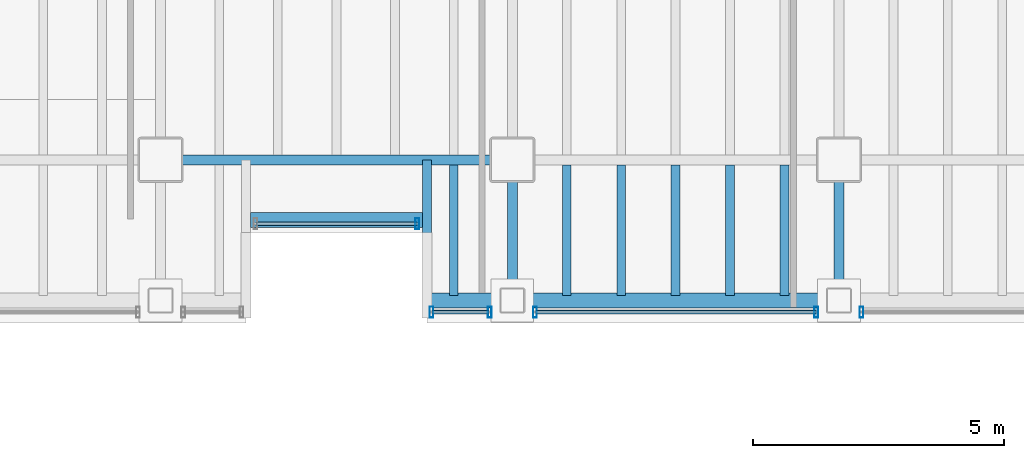
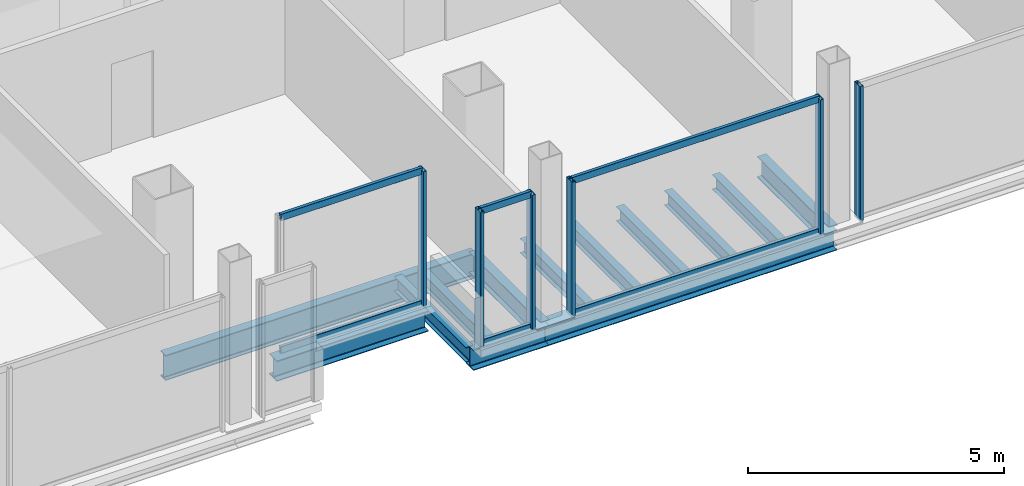
# One storey, part 4 of 16: 13 beams, 12 members, 4 elements without a shape of their own.
"""IFC4 building model written with IfcOpenShell, lengths in metres."""

from ifc_helpers import new_model, si_unit, direction, frame, origin, origin_2d, place, context, subcontext, project, spatial, hollow_rectangle, i_section, extrude, material, material_profile, profile_set, type_object, element, aggregate, save


model = new_model("IFC4")

# Units and contexts
model_context = context("Model", 3, precision=1e-05, world=origin(), true_north=direction((0.0, 1.0)))
body_context = subcontext(model_context, "Body", "Model", "MODEL_VIEW")
ifc_project = project(units=[si_unit("LENGTHUNIT", "METRE"), si_unit("AREAUNIT", "SQUARE_METRE"), si_unit("VOLUMEUNIT", "CUBIC_METRE"), si_unit("PLANEANGLEUNIT", "RADIAN"), si_unit("MASSUNIT", "GRAM", prefix="KILO")], contexts=[model_context])

# Site, building, storey
site_placement = place(None, origin())
site = spatial("IfcSite", under=ifc_project, at=site_placement, CompositionType="ELEMENT")
building_placement = place(site_placement, origin())
building = spatial("IfcBuilding", under=site, at=building_placement, Name="Noeulbin Bourse Tower", CompositionType="ELEMENT")
storey_placement = place(building_placement, frame((0.0, 0.0, 177.300048828125)))
storey = spatial("IfcBuildingStorey", under=building, at=storey_placement, Name="L44", CompositionType="ELEMENT", Elevation=177.300048828125)

# Beams
ifc_material_1 = material(Name="Steel S355", Category="steel")
ifc_material_profile_1 = material_profile(ifc_material_1, i_section(OverallWidth=0.199951171875, OverallDepth=0.5, WebThickness=0.010009765625, FlangeThickness=0.01611328125, FilletRadius=0.02001953125, at=origin_2d()), Name="H-500x200x10x16", Category="LoadBearing")
ifc_profile_set_1 = profile_set([ifc_material_profile_1], Name="Steel S355")
beam_type_1 = type_object("IfcBeamType", Name="BM-GRD-500", PredefinedType="USERDEFINED", material=ifc_profile_set_1)
for number, where, z_axis, x_axis, name in (
    (1, (31.0, 17.199951171875, -0.429931640625), (0.0, 1.0, 0.0), (-1.0, 0.0, 0.0), "Tower Primary Girder NS L44-3.1"),
    (2, (37.5, 17.199951171875, -0.429931640625), (0.0, 1.0, 0.0), (-1.0, 0.0, 0.0), "Tower Primary Girder NS L44-4.1"),
):
    element("IfcBeam", number, at=place(storey_placement, frame(where, z_axis=z_axis, x_axis=x_axis)), inside=storey, type_object=beam_type_1, Name=name, ObjectType="GIRDER", PredefinedType="USERDEFINED", context=body_context, shape_type="SweptSolid", body=[
        extrude(i_section(OverallWidth=0.199951171875, OverallDepth=0.5, WebThickness=0.010009765625, FlangeThickness=0.01611328125, FilletRadius=0.02001953125, at=origin_2d()), origin(), (0.0, 0.0, 1.0), 2.800048828125),
    ])
ifc_material_profile_2 = material_profile(ifc_material_1, i_section(OverallWidth=0.199951171875, OverallDepth=0.60009765625, WebThickness=0.010986328125, FlangeThickness=0.01708984375, FilletRadius=0.02197265625, at=origin_2d()), Name="H-600x200x11x17", Category="LoadBearing")
ifc_profile_set_2 = profile_set([ifc_material_profile_2], Name="Steel S355")
beam_type_2 = type_object("IfcBeamType", Name="BM-GRD-600", PredefinedType="USERDEFINED", material=ifc_profile_set_2)
beam_1_placement = place(storey_placement, frame((24.0, 20.0, -0.47998046875), z_axis=(1.0, 0.0, 0.0), x_axis=(0.0, 1.0, 0.0)))
element("IfcBeam", 3, at=beam_1_placement, inside=storey, type_object=beam_type_2, Name="Tower Primary Girder EW L44-1.3", ObjectType="GIRDER", PredefinedType="USERDEFINED", context=body_context, shape_type="SweptSolid", body=[
    extrude(i_section(OverallWidth=0.199951171875, OverallDepth=0.60009765625, WebThickness=0.010986328125, FlangeThickness=0.01708984375, FilletRadius=0.02197265625, at=origin_2d()), origin(), (0.0, 0.0, 1.0), 7.0),
])
ifc_material_profile_3 = material_profile(ifc_material_1, i_section(OverallWidth=0.175048828125, OverallDepth=0.35009765625, WebThickness=0.007080078125, FlangeThickness=0.010986328125, FilletRadius=0.013916015625, at=origin_2d()), Name="H-350x175x7x11", Category="LoadBearing")
ifc_profile_set_3 = profile_set([ifc_material_profile_3], Name="Steel S355")
beam_type_3 = type_object("IfcBeamType", Name="BM-JST-350", PredefinedType="JOIST", material=ifc_profile_set_3)
beam_2_placement = place(storey_placement, frame((29.300048828125, 17.199951171875, -0.35498046875), z_axis=(0.0, 1.0, 0.0), x_axis=(-1.0, 0.0, 0.0)))
element("IfcBeam", 4, at=beam_2_placement, inside=storey, type_object=beam_type_3, Name="BM-L44-SRT-E", PredefinedType="JOIST", context=body_context, shape_type="SweptSolid", body=[
    extrude(i_section(OverallWidth=0.175048828125, OverallDepth=0.35009765625, WebThickness=0.007080078125, FlangeThickness=0.010986328125, FilletRadius=0.013916015625, at=origin_2d()), origin(), (0.0, 0.0, 1.0), 2.800048828125),
])
for number, where, z_axis, x_axis, name in (
    (5, (29.833251953125, 17.300048828125, -0.35498046875), (0.0, 1.0, 0.0), (-1.0, 0.0, 0.0), "Tower Composite Joist L44-34"),
    (6, (32.083251953125, 17.300048828125, -0.35498046875), (0.0, 1.0, 0.0), (-1.0, 0.0, 0.0), "Tower Composite Joist L44-37"),
    (7, (33.166748046875, 17.300048828125, -0.35498046875), (0.0, 1.0, 0.0), (-1.0, 0.0, 0.0), "Tower Composite Joist L44-40"),
    (8, (34.25, 17.300048828125, -0.35498046875), (0.0, 1.0, 0.0), (-1.0, 0.0, 0.0), "Tower Composite Joist L44-43"),
    (9, (35.333251953125, 17.300048828125, -0.35498046875), (0.0, 1.0, 0.0), (-1.0, 0.0, 0.0), "Tower Composite Joist L44-46"),
    (10, (36.416748046875, 17.300048828125, -0.35498046875), (0.0, 1.0, 0.0), (-1.0, 0.0, 0.0), "Tower Composite Joist L44-49"),
):
    element("IfcBeam", number, at=place(storey_placement, frame(where, z_axis=z_axis, x_axis=x_axis)), inside=storey, type_object=beam_type_3, Name=name, PredefinedType="JOIST", context=body_context, shape_type="SweptSolid", body=[
        extrude(i_section(OverallWidth=0.175048828125, OverallDepth=0.35009765625, WebThickness=0.007080078125, FlangeThickness=0.010986328125, FilletRadius=0.013916015625, at=origin_2d()), origin(), (0.0, 0.0, 1.0), 2.599853515625),
    ])
ifc_material_profile_4 = material_profile(ifc_material_1, i_section(OverallWidth=0.300048828125, OverallDepth=0.488037109375, WebThickness=0.010986328125, FlangeThickness=0.01806640625, FilletRadius=0.02197265625, at=origin_2d()), Name="H-488x300x11x18", Category="LoadBearing")
ifc_profile_set_4 = profile_set([ifc_material_profile_4], Name="Steel S355")
beam_type_4 = type_object("IfcBeamType", Name="BM-SPN-488", PredefinedType="SPANDREL", material=ifc_profile_set_4)
beam_3_placement = place(storey_placement, frame((25.78759765625, 18.800048828125, -0.424072265625), z_axis=(1.0, 0.0, 0.0), x_axis=(0.0, 1.0, 0.0)))
element("IfcBeam", 11, at=beam_3_placement, inside=storey, type_object=beam_type_4, Name="South Recess Spandrel L44-2B", PredefinedType="SPANDREL", context=body_context, shape_type="SweptSolid", body=[
    extrude(i_section(OverallWidth=0.300048828125, OverallDepth=0.488037109375, WebThickness=0.010986328125, FlangeThickness=0.01806640625, FilletRadius=0.02197265625, at=origin_2d()), origin(), (0.0, 0.0, 1.0), 3.4248046875),
])
beam_4_placement = place(storey_placement, frame((29.300048828125, 17.199951171875, -0.424072265625), z_axis=(1.0, 0.0, 0.0), x_axis=(0.0, 1.0, 0.0)))
element("IfcBeam", 12, at=beam_4_placement, inside=storey, type_object=beam_type_4, Name="South Spandrel L44-2C", PredefinedType="SPANDREL", context=body_context, shape_type="SweptSolid", body=[
    extrude(i_section(OverallWidth=0.300048828125, OverallDepth=0.488037109375, WebThickness=0.010986328125, FlangeThickness=0.01806640625, FilletRadius=0.02197265625, at=origin_2d()), origin(), (0.0, 0.0, 1.0), 1.699951171875),
])
beam_5_placement = place(storey_placement, frame((31.0, 17.199951171875, -0.424072265625), z_axis=(1.0, 0.0, 0.0), x_axis=(0.0, 1.0, 0.0)))
element("IfcBeam", 13, at=beam_5_placement, inside=storey, type_object=beam_type_4, Name="South Spandrel L44-3", PredefinedType="SPANDREL", context=body_context, shape_type="SweptSolid", body=[
    extrude(i_section(OverallWidth=0.300048828125, OverallDepth=0.488037109375, WebThickness=0.010986328125, FlangeThickness=0.01806640625, FilletRadius=0.02197265625, at=origin_2d()), origin(), (0.0, 0.0, 1.0), 6.5),
])

# Curtain wall, member
ifc_material_2 = material(Name="Dark Tinted Triple Glazing", Category="glass")
curtain_wall_type = type_object("IfcCurtainWallType", Name="CW-SYS-3", PredefinedType="NOTDEFINED", material=ifc_material_2)
curtain_wall_1_placement = place(storey_placement, origin())
curtain_wall_1 = element("IfcCurtainWall", 14, at=curtain_wall_1_placement, inside=storey, type_object=curtain_wall_type, Name="Unitised Curtain Wall CW-L44-SREC", PredefinedType="NOTDEFINED")
ifc_material_3 = material(Name="Anodised Aluminium 6063-T6", Category="aluminium")
ifc_material_profile_5 = material_profile(ifc_material_3, hollow_rectangle(XDim=0.074951171875, YDim=0.219970703125, WallThickness=0.0048828125, InnerFilletRadius=0.00244140625, OuterFilletRadius=0.0048828125, at=origin_2d()), Name="ALU-MULL-75x220x5", Category="LoadBearing")
ifc_profile_set_5 = profile_set([ifc_material_profile_5], Name="Anodised Aluminium 6063-T6")
member_type_1 = type_object("IfcMemberType", Name="CW-SYS-3-MUL", PredefinedType="MULLION", material=ifc_profile_set_5)
member_1_placement = place(storey_placement, frame((29.110107421875, 18.72998046875, -0.02001953125), z_axis=(0.0, 0.0, 1.0), x_axis=(1.0, 0.0, 0.0)))
member_1 = element("IfcMember", 15, at=member_1_placement, type_object=member_type_1, Name="Curtain Wall Mullion CW-L44-SREC-M01", PredefinedType="MULLION", context=body_context, shape_type="SweptSolid", body=[
    extrude(hollow_rectangle(XDim=0.074951171875, YDim=0.219970703125, WallThickness=0.0048828125, InnerFilletRadius=0.00244140625, OuterFilletRadius=0.0048828125, at=origin_2d()), origin(), (0.0, 0.0, 1.0), 3.219970703125),
])

# Curtain wall, members
curtain_wall_2_placement = place(storey_placement, origin())
curtain_wall_2 = element("IfcCurtainWall", 16, at=curtain_wall_2_placement, inside=storey, type_object=curtain_wall_type, Name="Unitised Curtain Wall CW-L44-S2-S1", PredefinedType="NOTDEFINED")
member_2_placement = place(storey_placement, frame((29.389892578125, 16.969970703125, -0.02001953125), z_axis=(0.0, 0.0, 1.0), x_axis=(1.0, 0.0, 0.0)))
member_2 = element("IfcMember", 17, at=member_2_placement, type_object=member_type_1, Name="Curtain Wall Mullion CW-L44-S2-S1-M00", PredefinedType="MULLION", context=body_context, shape_type="SweptSolid", body=[
    extrude(hollow_rectangle(XDim=0.074951171875, YDim=0.219970703125, WallThickness=0.0048828125, InnerFilletRadius=0.00244140625, OuterFilletRadius=0.0048828125, at=origin_2d()), origin(), (0.0, 0.0, 1.0), 3.219970703125),
])
member_3_placement = place(storey_placement, frame((30.550048828125, 16.969970703125, -0.02001953125), z_axis=(0.0, 0.0, 1.0), x_axis=(1.0, 0.0, 0.0)))
member_3 = element("IfcMember", 18, at=member_3_placement, type_object=member_type_1, Name="Curtain Wall Mullion CW-L44-S2-S1-M01", PredefinedType="MULLION", context=body_context, shape_type="SweptSolid", body=[
    extrude(hollow_rectangle(XDim=0.074951171875, YDim=0.219970703125, WallThickness=0.0048828125, InnerFilletRadius=0.00244140625, OuterFilletRadius=0.0048828125, at=origin_2d()), origin(), (0.0, 0.0, 1.0), 3.219970703125),
])

curtain_wall_3_placement = place(storey_placement, origin())
curtain_wall_3 = element("IfcCurtainWall", 19, at=curtain_wall_3_placement, inside=storey, type_object=curtain_wall_type, Name="Unitised Curtain Wall CW-L44-S2-S2", PredefinedType="NOTDEFINED")
member_4_placement = place(storey_placement, frame((31.449951171875, 16.969970703125, -0.02001953125), z_axis=(0.0, 0.0, 1.0), x_axis=(1.0, 0.0, 0.0)))
member_4 = element("IfcMember", 20, at=member_4_placement, type_object=member_type_1, Name="Curtain Wall Mullion CW-L44-S2-S2-M00", PredefinedType="MULLION", context=body_context, shape_type="SweptSolid", body=[
    extrude(hollow_rectangle(XDim=0.074951171875, YDim=0.219970703125, WallThickness=0.0048828125, InnerFilletRadius=0.00244140625, OuterFilletRadius=0.0048828125, at=origin_2d()), origin(), (0.0, 0.0, 1.0), 3.219970703125),
])
member_5_placement = place(storey_placement, frame((37.050048828125, 16.969970703125, -0.02001953125), z_axis=(0.0, 0.0, 1.0), x_axis=(1.0, 0.0, 0.0)))
member_5 = element("IfcMember", 21, at=member_5_placement, type_object=member_type_1, Name="Curtain Wall Mullion CW-L44-S2-S2-M01", PredefinedType="MULLION", context=body_context, shape_type="SweptSolid", body=[
    extrude(hollow_rectangle(XDim=0.074951171875, YDim=0.219970703125, WallThickness=0.0048828125, InnerFilletRadius=0.00244140625, OuterFilletRadius=0.0048828125, at=origin_2d()), origin(), (0.0, 0.0, 1.0), 3.219970703125),
])

# Curtain wall, member
curtain_wall_4_placement = place(storey_placement, origin())
curtain_wall_4 = element("IfcCurtainWall", 22, at=curtain_wall_4_placement, inside=storey, type_object=curtain_wall_type, Name="Unitised Curtain Wall CW-L44-S2-S3", PredefinedType="NOTDEFINED")
member_6_placement = place(storey_placement, frame((37.949951171875, 16.969970703125, -0.02001953125), z_axis=(0.0, 0.0, 1.0), x_axis=(1.0, 0.0, 0.0)))
member_6 = element("IfcMember", 23, at=member_6_placement, type_object=member_type_1, Name="Curtain Wall Mullion CW-L44-S2-S3-M00", PredefinedType="MULLION", context=body_context, shape_type="SweptSolid", body=[
    extrude(hollow_rectangle(XDim=0.074951171875, YDim=0.219970703125, WallThickness=0.0048828125, InnerFilletRadius=0.00244140625, OuterFilletRadius=0.0048828125, at=origin_2d()), origin(), (0.0, 0.0, 1.0), 3.219970703125),
])
aggregate(curtain_wall_4, [member_6])

# Member
ifc_material_profile_6 = material_profile(ifc_material_3, hollow_rectangle(XDim=0.074951171875, YDim=0.159912109375, WallThickness=0.0048828125, InnerFilletRadius=0.00244140625, OuterFilletRadius=0.0048828125, at=origin_2d()), Name="ALU-TRAN-75x160x5", Category="LoadBearing")
ifc_profile_set_6 = profile_set([ifc_material_profile_6], Name="Anodised Aluminium 6063-T6")
member_type_2 = type_object("IfcMemberType", Name="CW-SYS-3-TRN", PredefinedType="USERDEFINED", material=ifc_profile_set_6)
member_7_placement = place(storey_placement, frame((25.89990234375, 18.72998046875, 0.010009765625), z_axis=(1.0, 0.0, 0.0), x_axis=(0.0, 1.0, 0.0)))
member_7 = element("IfcMember", 24, at=member_7_placement, type_object=member_type_2, Name="Curtain Wall Transom CW-L44-SREC-T00", ObjectType="TRANSOM", PredefinedType="USERDEFINED", context=body_context, shape_type="SweptSolid", body=[
    extrude(hollow_rectangle(XDim=0.074951171875, YDim=0.159912109375, WallThickness=0.0048828125, InnerFilletRadius=0.00244140625, OuterFilletRadius=0.0048828125, at=origin_2d()), origin(), (0.0, 0.0, 1.0), 3.2001953125),
])

member_8_placement = place(storey_placement, frame((25.89990234375, 18.72998046875, 3.169921875), z_axis=(1.0, 0.0, 0.0), x_axis=(0.0, 1.0, 0.0)))
member_8 = element("IfcMember", 25, at=member_8_placement, type_object=member_type_2, Name="Curtain Wall Transom CW-L44-SREC-T01", ObjectType="TRANSOM", PredefinedType="USERDEFINED", context=body_context, shape_type="SweptSolid", body=[
    extrude(hollow_rectangle(XDim=0.074951171875, YDim=0.159912109375, WallThickness=0.0048828125, InnerFilletRadius=0.00244140625, OuterFilletRadius=0.0048828125, at=origin_2d()), origin(), (0.0, 0.0, 1.0), 3.2001953125),
])

aggregate(curtain_wall_1, [member_1, member_7, member_8])

member_9_placement = place(storey_placement, frame((29.39990234375, 16.969970703125, 0.010009765625), z_axis=(1.0, 0.0, 0.0), x_axis=(0.0, 1.0, 0.0)))
member_9 = element("IfcMember", 26, at=member_9_placement, type_object=member_type_2, Name="Curtain Wall Transom CW-L44-S2-S1-T00", ObjectType="TRANSOM", PredefinedType="USERDEFINED", context=body_context, shape_type="SweptSolid", body=[
    extrude(hollow_rectangle(XDim=0.074951171875, YDim=0.159912109375, WallThickness=0.0048828125, InnerFilletRadius=0.00244140625, OuterFilletRadius=0.0048828125, at=origin_2d()), origin(), (0.0, 0.0, 1.0), 1.14013671875),
])

member_10_placement = place(storey_placement, frame((29.39990234375, 16.969970703125, 3.169921875), z_axis=(1.0, 0.0, 0.0), x_axis=(0.0, 1.0, 0.0)))
member_10 = element("IfcMember", 27, at=member_10_placement, type_object=member_type_2, Name="Curtain Wall Transom CW-L44-S2-S1-T01", ObjectType="TRANSOM", PredefinedType="USERDEFINED", context=body_context, shape_type="SweptSolid", body=[
    extrude(hollow_rectangle(XDim=0.074951171875, YDim=0.159912109375, WallThickness=0.0048828125, InnerFilletRadius=0.00244140625, OuterFilletRadius=0.0048828125, at=origin_2d()), origin(), (0.0, 0.0, 1.0), 1.14013671875),
])

aggregate(curtain_wall_2, [member_2, member_3, member_9, member_10])

member_11_placement = place(storey_placement, frame((31.4599609375, 16.969970703125, 0.010009765625), z_axis=(1.0, 0.0, 0.0), x_axis=(0.0, 1.0, 0.0)))
member_11 = element("IfcMember", 28, at=member_11_placement, type_object=member_type_2, Name="Curtain Wall Transom CW-L44-S2-S2-T00", ObjectType="TRANSOM", PredefinedType="USERDEFINED", context=body_context, shape_type="SweptSolid", body=[
    extrude(hollow_rectangle(XDim=0.074951171875, YDim=0.159912109375, WallThickness=0.0048828125, InnerFilletRadius=0.00244140625, OuterFilletRadius=0.0048828125, at=origin_2d()), origin(), (0.0, 0.0, 1.0), 5.580078125),
])

member_12_placement = place(storey_placement, frame((31.4599609375, 16.969970703125, 3.169921875), z_axis=(1.0, 0.0, 0.0), x_axis=(0.0, 1.0, 0.0)))
member_12 = element("IfcMember", 29, at=member_12_placement, type_object=member_type_2, Name="Curtain Wall Transom CW-L44-S2-S2-T01", ObjectType="TRANSOM", PredefinedType="USERDEFINED", context=body_context, shape_type="SweptSolid", body=[
    extrude(hollow_rectangle(XDim=0.074951171875, YDim=0.159912109375, WallThickness=0.0048828125, InnerFilletRadius=0.00244140625, OuterFilletRadius=0.0048828125, at=origin_2d()), origin(), (0.0, 0.0, 1.0), 5.580078125),
])

aggregate(curtain_wall_3, [member_4, member_5, member_11, member_12])

save(model, "model.ifc")
